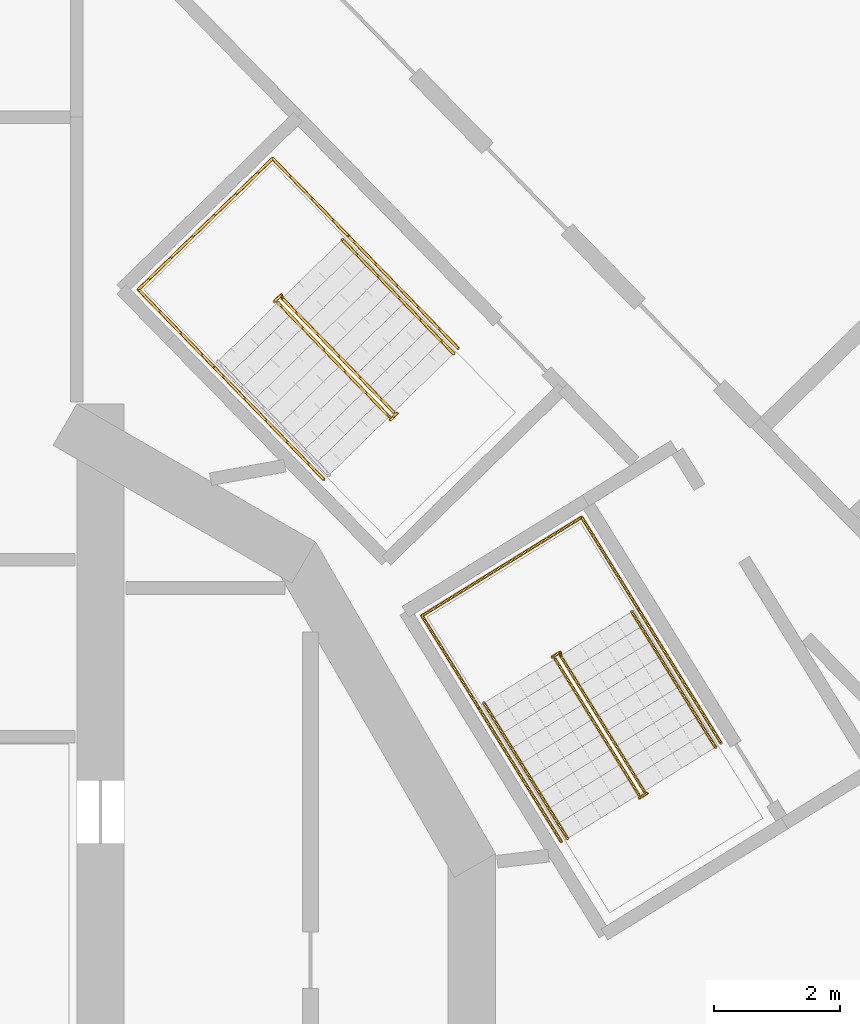
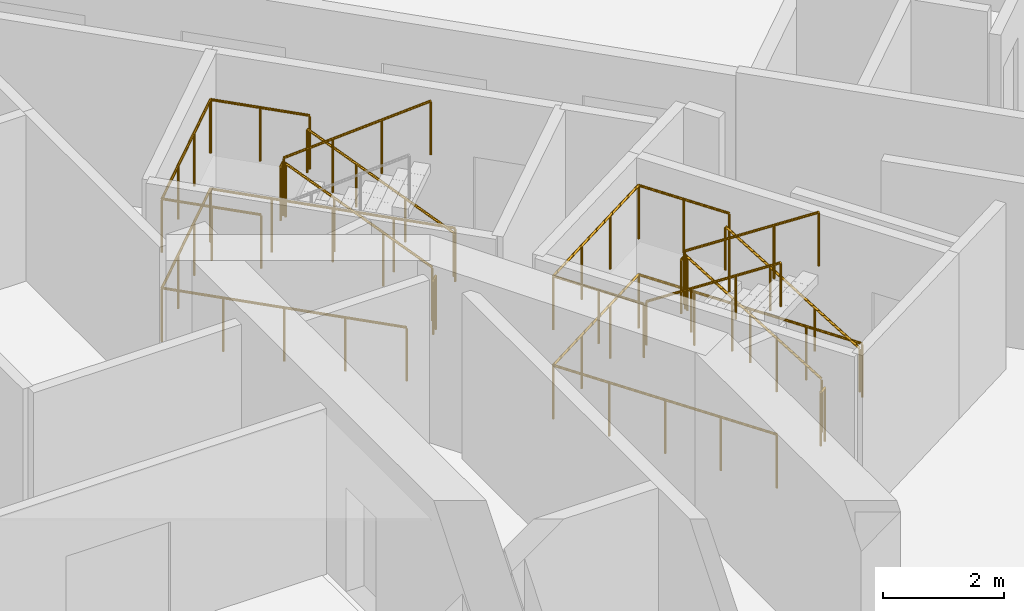
# One storey, part 15 of 17: 13 railings.
"""IFC4 building model written with IfcOpenShell, lengths in metres."""

from ifc_helpers import new_model, si_unit, direction, frame, origin, origin_2d, place, context, subcontext, project, spatial, circle, extrude, material, type_object, element, save


model = new_model("IFC4")

# Units and contexts
model_context = context("Model", 3, precision=1e-05, world=origin(), true_north=direction((0.0, 1.0)))
body_context = subcontext(model_context, "Body", "Model", "MODEL_VIEW")
ifc_project = project(units=[si_unit("LENGTHUNIT", "METRE"), si_unit("AREAUNIT", "SQUARE_METRE"), si_unit("VOLUMEUNIT", "CUBIC_METRE"), si_unit("PLANEANGLEUNIT", "RADIAN"), si_unit("MASSUNIT", "GRAM", prefix="KILO")], contexts=[model_context])

# Site, building, storey
site_placement = place(None, origin())
site = spatial("IfcSite", under=ifc_project, at=site_placement, CompositionType="ELEMENT")
building_placement = place(site_placement, origin())
building = spatial("IfcBuilding", under=site, at=building_placement, Name="Cantera Rosa Tower", CompositionType="ELEMENT")
storey_placement = place(building_placement, frame((0.0, 0.0, 205.39990234375)))
storey = spatial("IfcBuildingStorey", under=building, at=storey_placement, Name="L43", CompositionType="ELEMENT", Elevation=205.39990234375)

# Railings
ifc_material_1 = material(Name="Steel S355J2 (EN 10025-2)", Category="steel")
railing_type_1 = type_object("IfcRailingType", Name="STAIR GUARD 1100", PredefinedType="GUARDRAIL", material=ifc_material_1)
railing_1_placement = place(storey_placement, frame((12.9765625, 3.834228515625, 0.18017578125)))
element("IfcRailing", 1, at=railing_1_placement, inside=storey, type_object=railing_type_1, Name="L43 ST-41 stair guard 1", PredefinedType="GUARDRAIL", context=body_context, shape_type="SweptSolid", body=[
    extrude(circle(Radius=0.02392578125, at=origin_2d()), frame((0.0, 0.0, 1.076171875), z_axis=(-0.441562923896, 0.715970890813, 0.540747508315), x_axis=(-0.851145618652, -0.524929648476, 0.0)), (0.0, 0.0, 1.0), 2.99560546875),
    extrude(circle(Radius=0.02392578125, at=origin_2d()), frame((-1.32275390625, 2.144775390625, 2.69580078125), z_axis=(-0.073711968402, 0.997279572494, 0.0), x_axis=(-0.997279572494, -0.073711968402, 0.0)), (0.0, 0.0, 1.0), 0.056396484375),
    extrude(circle(Radius=0.02392578125, at=origin_2d()), frame((-1.326904296875, 2.200927734375, 2.69580078125), z_axis=(-0.851546489876, -0.524279100842, 0.0), x_axis=(0.524279100842, -0.851546489876, 0.0)), (0.0, 0.0, 1.0), 0.14990234375),
    extrude(circle(Radius=0.02099609375, at=origin_2d()), origin(), (0.0, 0.0, 1.0), 1.052001953125),
    extrude(circle(Radius=0.02099609375, at=origin_2d()), frame((-0.44091796875, 0.71484375, 0.5400390625)), (0.0, 0.0, 1.0), 1.052001953125),
    extrude(circle(Radius=0.02099609375, at=origin_2d()), frame((-0.8818359375, 1.429931640625, 1.079833984375)), (0.0, 0.0, 1.0), 1.052001953125),
    extrude(circle(Radius=0.02099609375, at=origin_2d()), frame((-1.32275390625, 2.144775390625, 1.619873046875)), (0.0, 0.0, 1.0), 1.052001953125),
    extrude(circle(Radius=0.02099609375, at=origin_2d()), frame((-1.326904296875, 2.200927734375, 1.619873046875)), (0.0, 0.0, 1.0), 1.052001953125),
    extrude(circle(Radius=0.02099609375, at=origin_2d()), frame((-1.45458984375, 2.122314453125, 1.619873046875)), (0.0, 0.0, 1.0), 1.052001953125),
])
railing_2_placement = place(storey_placement, frame((11.5703125, 5.927490234375, 1.97998046875)))
element("IfcRailing", 2, at=railing_2_placement, inside=storey, type_object=railing_type_1, Name="L43 ST-41 stair guard 2", PredefinedType="GUARDRAIL", context=body_context, shape_type="SweptSolid", body=[
    extrude(circle(Radius=0.02392578125, at=origin_2d()), frame((0.0, 0.0, 1.076171875), z_axis=(0.441609067481, -0.715913574058, 0.540785711718), x_axis=(0.851102330005, 0.524999832248, 0.0)), (0.0, 0.0, 1.0), 2.995849609375),
    extrude(circle(Radius=0.02099609375, at=origin_2d()), origin(), (0.0, 0.0, 1.0), 1.052001953125),
    extrude(circle(Radius=0.02099609375, at=origin_2d()), frame((0.44091796875, -0.71484375, 0.5400390625)), (0.0, 0.0, 1.0), 1.052001953125),
    extrude(circle(Radius=0.02099609375, at=origin_2d()), frame((0.882080078125, -1.429931640625, 1.080078125)), (0.0, 0.0, 1.0), 1.052001953125),
    extrude(circle(Radius=0.02099609375, at=origin_2d()), frame((1.322998046875, -2.144775390625, 1.6201171875)), (0.0, 0.0, 1.0), 1.052001953125),
])
railing_3_placement = place(storey_placement, frame((13.025146484375, 3.80517578125, 0.0)))
element("IfcRailing", 3, at=railing_3_placement, inside=storey, type_object=railing_type_1, Name="L43 ST-41 stair guard 3", PredefinedType="GUARDRAIL", context=body_context, shape_type="SweptSolid", body=[
    extrude(circle(Radius=0.02392578125, at=origin_2d()), frame((0.0, 0.0, 1.076171875), z_axis=(-0.851546489876, -0.524279100842, 0.0), x_axis=(0.524279100842, -0.851546489876, 0.0)), (0.0, 0.0, 1.0), 0.14990234375),
    extrude(circle(Radius=0.02099609375, at=origin_2d()), origin(), (0.0, 0.0, 1.0), 1.052001953125),
    extrude(circle(Radius=0.02099609375, at=origin_2d()), frame((-0.127685546875, -0.07861328125, 0.0)), (0.0, 0.0, 1.0), 1.052001953125),
])
railing_4_placement = place(storey_placement, frame((14.192626953125, 4.59814453125, 0.0)))
element("IfcRailing", 4, at=railing_4_placement, inside=storey, type_object=railing_type_1, Name="L43 ST-41 stair guard 4", PredefinedType="GUARDRAIL", context=body_context, shape_type="SweptSolid", body=[
    extrude(circle(Radius=0.02392578125, at=origin_2d()), frame((0.0, 0.0, 1.076171875), z_axis=(-0.524976478809, 0.851116735059, 0.0), x_axis=(-0.851116735059, -0.524976478809, 0.0)), (0.0, 0.0, 1.0), 4.197998046875),
    extrude(circle(Radius=0.02392578125, at=origin_2d()), frame((-2.203857421875, 3.572998046875, 1.076171875), z_axis=(-0.851132917336, -0.524950242429, 0.0), x_axis=(0.524950242429, -0.851132917336, 0.0)), (0.0, 0.0, 1.0), 2.969970703125),
    extrude(circle(Radius=0.02392578125, at=origin_2d()), frame((-4.731689453125, 2.013916015625, 1.076171875), z_axis=(0.524976478809, -0.851116735059, 0.0), x_axis=(0.851116735059, 0.524976478809, 0.0)), (0.0, 0.0, 1.0), 4.197998046875),
    extrude(circle(Radius=0.02099609375, at=origin_2d()), origin(), (0.0, 0.0, 1.0), 1.052001953125),
    extrude(circle(Radius=0.02099609375, at=origin_2d()), frame((-0.551025390625, 0.893310546875, 0.0)), (0.0, 0.0, 1.0), 1.052001953125),
    extrude(circle(Radius=0.02099609375, at=origin_2d()), frame((-1.10205078125, 1.78662109375, 0.0)), (0.0, 0.0, 1.0), 1.052001953125),
    extrude(circle(Radius=0.02099609375, at=origin_2d()), frame((-1.65283203125, 2.6796875, 0.0)), (0.0, 0.0, 1.0), 1.052001953125),
    extrude(circle(Radius=0.02099609375, at=origin_2d()), frame((-2.203857421875, 3.572998046875, 0.0)), (0.0, 0.0, 1.0), 1.052001953125),
    extrude(circle(Radius=0.02099609375, at=origin_2d()), frame((-3.04638671875, 3.05322265625, 0.0)), (0.0, 0.0, 1.0), 1.052001953125),
    extrude(circle(Radius=0.02099609375, at=origin_2d()), frame((-3.88916015625, 2.53369140625, 0.0)), (0.0, 0.0, 1.0), 1.052001953125),
    extrude(circle(Radius=0.02099609375, at=origin_2d()), frame((-4.731689453125, 2.013916015625, 0.0)), (0.0, 0.0, 1.0), 1.052001953125),
    extrude(circle(Radius=0.02099609375, at=origin_2d()), frame((-4.1806640625, 1.12060546875, 0.0)), (0.0, 0.0, 1.0), 1.052001953125),
    extrude(circle(Radius=0.02099609375, at=origin_2d()), frame((-3.6298828125, 0.2275390625, 0.0)), (0.0, 0.0, 1.0), 1.052001953125),
    extrude(circle(Radius=0.02099609375, at=origin_2d()), frame((-3.078857421875, -0.665771484375, 0.0)), (0.0, 0.0, 1.0), 1.052001953125),
    extrude(circle(Radius=0.02099609375, at=origin_2d()), frame((-2.52783203125, -1.55908203125, 0.0)), (0.0, 0.0, 1.0), 1.052001953125),
])
railing_5_placement = place(storey_placement, frame((12.88232421875, 6.72265625, 1.800048828125)))
element("IfcRailing", 5, at=railing_5_placement, inside=storey, type_object=railing_type_1, Name="L43 ST-41 stair guard 5", PredefinedType="GUARDRAIL", context=body_context, shape_type="SweptSolid", body=[
    extrude(circle(Radius=0.02392578125, at=origin_2d()), frame((0.0, 0.0, 1.076171875), z_axis=(-0.525025534833, 0.851086474909, 0.0), x_axis=(-0.851086474909, -0.525025534833, 0.0)), (0.0, 0.0, 1.0), 1.701904296875),
    extrude(circle(Radius=0.02392578125, at=origin_2d()), frame((-0.8935546875, 1.448486328125, 1.076171875), z_axis=(-0.851132917336, -0.524950242429, 0.0), x_axis=(0.524950242429, -0.851132917336, 0.0)), (0.0, 0.0, 1.0), 2.969970703125),
    extrude(circle(Radius=0.02392578125, at=origin_2d()), frame((-3.42138671875, -0.110595703125, 1.076171875), z_axis=(0.524961441845, -0.851126009811, 0.0), x_axis=(0.851126009811, 0.524961441845, 0.0)), (0.0, 0.0, 1.0), 1.7021484375),
    extrude(circle(Radius=0.02099609375, at=origin_2d()), origin(), (0.0, 0.0, 1.0), 1.052001953125),
    extrude(circle(Radius=0.02099609375, at=origin_2d()), frame((-0.44677734375, 0.72412109375, 0.0)), (0.0, 0.0, 1.0), 1.052001953125),
    extrude(circle(Radius=0.02099609375, at=origin_2d()), frame((-0.8935546875, 1.448486328125, 0.0)), (0.0, 0.0, 1.0), 1.052001953125),
    extrude(circle(Radius=0.02099609375, at=origin_2d()), frame((-1.736083984375, 0.9287109375, 0.0)), (0.0, 0.0, 1.0), 1.052001953125),
    extrude(circle(Radius=0.02099609375, at=origin_2d()), frame((-2.578857421875, 0.4091796875, 0.0)), (0.0, 0.0, 1.0), 1.052001953125),
    extrude(circle(Radius=0.02099609375, at=origin_2d()), frame((-3.42138671875, -0.110595703125, 0.0)), (0.0, 0.0, 1.0), 1.052001953125),
    extrude(circle(Radius=0.02099609375, at=origin_2d()), frame((-2.974609375, -0.8349609375, 0.0)), (0.0, 0.0, 1.0), 1.052001953125),
    extrude(circle(Radius=0.02099609375, at=origin_2d()), frame((-2.52783203125, -1.559326171875, 0.0)), (0.0, 0.0, 1.0), 1.052001953125),
])
railing_6_placement = place(storey_placement, frame((9.013427734375, 9.832763671875, 0.18017578125)))
element("IfcRailing", 6, at=railing_6_placement, inside=storey, type_object=railing_type_1, Name="L43 ST-42 stair guard 1", PredefinedType="GUARDRAIL", context=body_context, shape_type="SweptSolid", body=[
    extrude(circle(Radius=0.02392578125, at=origin_2d()), frame((0.0, 0.0, 1.076171875), z_axis=(-0.587844099419, 0.60169873645, 0.540738333515), x_axis=(-0.715293958342, -0.698823692472, 0.0)), (0.0, 0.0, 1.0), 2.99560546875),
    extrude(circle(Radius=0.02392578125, at=origin_2d()), frame((-1.760986328125, 1.802490234375, 2.69580078125), z_axis=(-0.290127576896, 0.956987977523, 0.0), x_axis=(-0.956987977523, -0.290127576896, 0.0)), (0.0, 0.0, 1.0), 0.056396484375),
    extrude(circle(Radius=0.02392578125, at=origin_2d()), frame((-1.77734375, 1.8564453125, 2.69580078125), z_axis=(-0.71600013962, -0.69810013613, 0.0), x_axis=(0.69810013613, -0.71600013962, 0.0)), (0.0, 0.0, 1.0), 0.150146484375),
    extrude(circle(Radius=0.02099609375, at=origin_2d()), origin(), (0.0, 0.0, 1.0), 1.052001953125),
    extrude(circle(Radius=0.02099609375, at=origin_2d()), frame((-0.5869140625, 0.600830078125, 0.5400390625)), (0.0, 0.0, 1.0), 1.052001953125),
    extrude(circle(Radius=0.02099609375, at=origin_2d()), frame((-1.174072265625, 1.20166015625, 1.079833984375)), (0.0, 0.0, 1.0), 1.052001953125),
    extrude(circle(Radius=0.02099609375, at=origin_2d()), frame((-1.760986328125, 1.802490234375, 1.619873046875)), (0.0, 0.0, 1.0), 1.052001953125),
    extrude(circle(Radius=0.02099609375, at=origin_2d()), frame((-1.77734375, 1.8564453125, 1.619873046875)), (0.0, 0.0, 1.0), 1.052001953125),
    extrude(circle(Radius=0.02099609375, at=origin_2d()), frame((-1.884765625, 1.751708984375, 1.619873046875)), (0.0, 0.0, 1.0), 1.052001953125),
])
railing_7_placement = place(storey_placement, frame((7.182373046875, 11.56689453125, 1.97998046875)))
element("IfcRailing", 7, at=railing_7_placement, inside=storey, type_object=railing_type_1, Name="L43 ST-42 stair guard 2", PredefinedType="GUARDRAIL", context=body_context, shape_type="SweptSolid", body=[
    extrude(circle(Radius=0.02392578125, at=origin_2d()), frame((0.0, 0.0, 1.076171875), z_axis=(0.587818193466, -0.601672219931, 0.54079599776), x_axis=(0.715293958342, 0.698823692472, 0.0)), (0.0, 0.0, 1.0), 2.995849609375),
    extrude(circle(Radius=0.02099609375, at=origin_2d()), origin(), (0.0, 0.0, 1.0), 1.052001953125),
    extrude(circle(Radius=0.02099609375, at=origin_2d()), frame((0.5869140625, -0.600830078125, 0.5400390625)), (0.0, 0.0, 1.0), 1.052001953125),
    extrude(circle(Radius=0.02099609375, at=origin_2d()), frame((1.174072265625, -1.20166015625, 1.080078125)), (0.0, 0.0, 1.0), 1.052001953125),
    extrude(circle(Radius=0.02099609375, at=origin_2d()), frame((1.760986328125, -1.802490234375, 1.6201171875)), (0.0, 0.0, 1.0), 1.052001953125),
])
railing_8_placement = place(storey_placement, frame((9.06689453125, 9.815185546875, 0.0)))
element("IfcRailing", 8, at=railing_8_placement, inside=storey, type_object=railing_type_1, Name="L43 ST-42 stair guard 3", PredefinedType="GUARDRAIL", context=body_context, shape_type="SweptSolid", body=[
    extrude(circle(Radius=0.02392578125, at=origin_2d()), frame((0.0, 0.0, 1.076171875), z_axis=(-0.715205710557, -0.698914008722, 0.0), x_axis=(0.698914008722, -0.715205710557, 0.0)), (0.0, 0.0, 1.0), 0.14990234375),
    extrude(circle(Radius=0.02099609375, at=origin_2d()), origin(), (0.0, 0.0, 1.0), 1.052001953125),
    extrude(circle(Radius=0.02099609375, at=origin_2d()), frame((-0.107177734375, -0.104736328125, 0.0)), (0.0, 0.0, 1.0), 1.052001953125),
])
railing_9_placement = place(storey_placement, frame((10.0322265625, 10.844970703125, 0.0)))
element("IfcRailing", 9, at=railing_9_placement, inside=storey, type_object=railing_type_1, Name="L43 ST-42 stair guard 4", PredefinedType="GUARDRAIL", context=body_context, shape_type="SweptSolid", body=[
    extrude(circle(Radius=0.02392578125, at=origin_2d()), frame((0.0, 0.0, 1.076171875), z_axis=(-0.698859254364, 0.715259213566, 0.0), x_axis=(-0.715259213566, -0.698859254364, 0.0)), (0.0, 0.0, 1.0), 4.197998046875),
    extrude(circle(Radius=0.02392578125, at=origin_2d()), frame((-2.933837890625, 3.002685546875, 1.076171875), z_axis=(-0.715279654138, -0.698838333505, 0.0), x_axis=(0.698838333505, -0.715279654138, 0.0)), (0.0, 0.0, 1.0), 2.9697265625),
    extrude(circle(Radius=0.02392578125, at=origin_2d()), frame((-5.05810546875, 0.92724609375, 1.076171875), z_axis=(0.698829500247, -0.715288284249, 0.0), x_axis=(0.715288284249, 0.698829500247, 0.0)), (0.0, 0.0, 1.0), 4.19775390625),
    extrude(circle(Radius=0.02099609375, at=origin_2d()), origin(), (0.0, 0.0, 1.0), 1.052001953125),
    extrude(circle(Radius=0.02099609375, at=origin_2d()), frame((-0.7333984375, 0.750732421875, 0.0)), (0.0, 0.0, 1.0), 1.052001953125),
    extrude(circle(Radius=0.02099609375, at=origin_2d()), frame((-1.466796875, 1.50146484375, 0.0)), (0.0, 0.0, 1.0), 1.052001953125),
    extrude(circle(Radius=0.02099609375, at=origin_2d()), frame((-2.200439453125, 2.251953125, 0.0)), (0.0, 0.0, 1.0), 1.052001953125),
    extrude(circle(Radius=0.02099609375, at=origin_2d()), frame((-2.933837890625, 3.002685546875, 0.0)), (0.0, 0.0, 1.0), 1.052001953125),
    extrude(circle(Radius=0.02099609375, at=origin_2d()), frame((-3.641845703125, 2.310791015625, 0.0)), (0.0, 0.0, 1.0), 1.052001953125),
    extrude(circle(Radius=0.02099609375, at=origin_2d()), frame((-4.35009765625, 1.619140625, 0.0)), (0.0, 0.0, 1.0), 1.052001953125),
    extrude(circle(Radius=0.02099609375, at=origin_2d()), frame((-5.05810546875, 0.92724609375, 0.0)), (0.0, 0.0, 1.0), 1.052001953125),
    extrude(circle(Radius=0.02099609375, at=origin_2d()), frame((-4.32470703125, 0.176513671875, 0.0)), (0.0, 0.0, 1.0), 1.052001953125),
    extrude(circle(Radius=0.02099609375, at=origin_2d()), frame((-3.59130859375, -0.57421875, 0.0)), (0.0, 0.0, 1.0), 1.052001953125),
    extrude(circle(Radius=0.02099609375, at=origin_2d()), frame((-2.85791015625, -1.32470703125, 0.0)), (0.0, 0.0, 1.0), 1.052001953125),
    extrude(circle(Radius=0.02099609375, at=origin_2d()), frame((-2.12451171875, -2.075439453125, 0.0)), (0.0, 0.0, 1.0), 1.052001953125),
])
railing_10_placement = place(storey_placement, frame((8.287841796875, 12.63037109375, 1.800048828125)))
element("IfcRailing", 10, at=railing_10_placement, inside=storey, type_object=railing_type_1, Name="L43 ST-42 stair guard 5", PredefinedType="GUARDRAIL", context=body_context, shape_type="SweptSolid", body=[
    extrude(circle(Radius=0.02392578125, at=origin_2d()), frame((0.0, 0.0, 1.076171875), z_axis=(-0.698882919007, 0.715236090757, 0.0), x_axis=(-0.715236090757, -0.698882919007, 0.0)), (0.0, 0.0, 1.0), 1.701904296875),
    extrude(circle(Radius=0.02392578125, at=origin_2d()), frame((-1.189453125, 1.21728515625, 1.076171875), z_axis=(-0.715279654138, -0.698838333505, 0.0), x_axis=(0.698838333505, -0.715279654138, 0.0)), (0.0, 0.0, 1.0), 2.9697265625),
    extrude(circle(Radius=0.02392578125, at=origin_2d()), frame((-3.313720703125, -0.858154296875, 1.076171875), z_axis=(0.698811217595, -0.715306145761, 0.0), x_axis=(0.715306145761, 0.698811217595, 0.0)), (0.0, 0.0, 1.0), 1.7021484375),
    extrude(circle(Radius=0.02099609375, at=origin_2d()), origin(), (0.0, 0.0, 1.0), 1.052001953125),
    extrude(circle(Radius=0.02099609375, at=origin_2d()), frame((-0.5947265625, 0.608642578125, 0.0)), (0.0, 0.0, 1.0), 1.052001953125),
    extrude(circle(Radius=0.02099609375, at=origin_2d()), frame((-1.189453125, 1.21728515625, 0.0)), (0.0, 0.0, 1.0), 1.052001953125),
    extrude(circle(Radius=0.02099609375, at=origin_2d()), frame((-1.8974609375, 0.525390625, 0.0)), (0.0, 0.0, 1.0), 1.052001953125),
    extrude(circle(Radius=0.02099609375, at=origin_2d()), frame((-2.605712890625, -0.166259765625, 0.0)), (0.0, 0.0, 1.0), 1.052001953125),
    extrude(circle(Radius=0.02099609375, at=origin_2d()), frame((-3.313720703125, -0.858154296875, 0.0)), (0.0, 0.0, 1.0), 1.052001953125),
    extrude(circle(Radius=0.02099609375, at=origin_2d()), frame((-2.718994140625, -1.466796875, 0.0)), (0.0, 0.0, 1.0), 1.052001953125),
    extrude(circle(Radius=0.02099609375, at=origin_2d()), frame((-2.124267578125, -2.07568359375, 0.0)), (0.0, 0.0, 1.0), 1.052001953125),
])
ifc_material_2 = material(Name="Steel S355J2 (EN 10025-2)", Category="steel")
railing_type_2 = type_object("IfcRailingType", Name="STAIR HANDRAIL 900", PredefinedType="HANDRAIL", material=ifc_material_2)
railing_11_placement = place(storey_placement, frame((14.105224609375, 4.5302734375, 0.18017578125)))
element("IfcRailing", 11, at=railing_11_placement, inside=storey, type_object=railing_type_2, Name="L43 ST-41 stair handrail 1", PredefinedType="HANDRAIL", context=body_context, shape_type="SweptSolid", body=[
    extrude(circle(Radius=0.02392578125, at=origin_2d()), frame((0.0, 0.0, 0.8759765625), z_axis=(-0.441628529057, 0.715945124149, 0.540728047664), x_axis=(-0.851102330005, -0.524999832248, 0.0)), (0.0, 0.0, 1.0), 2.99560546875),
    extrude(circle(Radius=0.02099609375, at=origin_2d()), origin(), (0.0, 0.0, 1.0), 0.851806640625),
    extrude(circle(Radius=0.02099609375, at=origin_2d()), frame((-0.44091796875, 0.71484375, 0.5400390625)), (0.0, 0.0, 1.0), 0.851806640625),
    extrude(circle(Radius=0.02099609375, at=origin_2d()), frame((-0.882080078125, 1.429931640625, 1.079833984375)), (0.0, 0.0, 1.0), 0.851806640625),
    extrude(circle(Radius=0.02099609375, at=origin_2d()), frame((-1.322998046875, 2.144775390625, 1.619873046875)), (0.0, 0.0, 1.0), 0.851806640625),
])
railing_12_placement = place(storey_placement, frame((10.441650390625, 5.2314453125, 1.97998046875)))
element("IfcRailing", 12, at=railing_12_placement, inside=storey, type_object=railing_type_2, Name="L43 ST-41 stair handrail 2", PredefinedType="HANDRAIL", context=body_context, shape_type="SweptSolid", body=[
    extrude(circle(Radius=0.02392578125, at=origin_2d()), frame((0.0, 0.0, 0.8759765625), z_axis=(0.441609067481, -0.715913574058, 0.540785711718), x_axis=(0.851102330005, 0.524999832248, 0.0)), (0.0, 0.0, 1.0), 2.995849609375),
    extrude(circle(Radius=0.02099609375, at=origin_2d()), origin(), (0.0, 0.0, 1.0), 0.851806640625),
    extrude(circle(Radius=0.02099609375, at=origin_2d()), frame((0.44091796875, -0.71484375, 0.5400390625)), (0.0, 0.0, 1.0), 0.851806640625),
    extrude(circle(Radius=0.02099609375, at=origin_2d()), frame((0.882080078125, -1.429931640625, 1.080078125)), (0.0, 0.0, 1.0), 0.851806640625),
    extrude(circle(Radius=0.02099609375, at=origin_2d()), frame((1.322998046875, -2.144775390625, 1.6201171875)), (0.0, 0.0, 1.0), 0.851806640625),
])
railing_13_placement = place(storey_placement, frame((9.9619140625, 10.759521484375, 0.18017578125)))
element("IfcRailing", 13, at=railing_13_placement, inside=storey, type_object=railing_type_2, Name="L43 ST-42 stair handrail 1", PredefinedType="HANDRAIL", context=body_context, shape_type="SweptSolid", body=[
    extrude(circle(Radius=0.02392578125, at=origin_2d()), frame((0.0, 0.0, 0.8759765625), z_axis=(-0.587844099419, 0.60169873645, 0.540738333515), x_axis=(-0.715293958342, -0.698823692472, 0.0)), (0.0, 0.0, 1.0), 2.99560546875),
    extrude(circle(Radius=0.02099609375, at=origin_2d()), origin(), (0.0, 0.0, 1.0), 0.851806640625),
    extrude(circle(Radius=0.02099609375, at=origin_2d()), frame((-0.5869140625, 0.600830078125, 0.5400390625)), (0.0, 0.0, 1.0), 0.851806640625),
    extrude(circle(Radius=0.02099609375, at=origin_2d()), frame((-1.174072265625, 1.20166015625, 1.079833984375)), (0.0, 0.0, 1.0), 0.851806640625),
    extrude(circle(Radius=0.02099609375, at=origin_2d()), frame((-1.760986328125, 1.802490234375, 1.619873046875)), (0.0, 0.0, 1.0), 0.851806640625),
])

save(model, "model.ifc")
